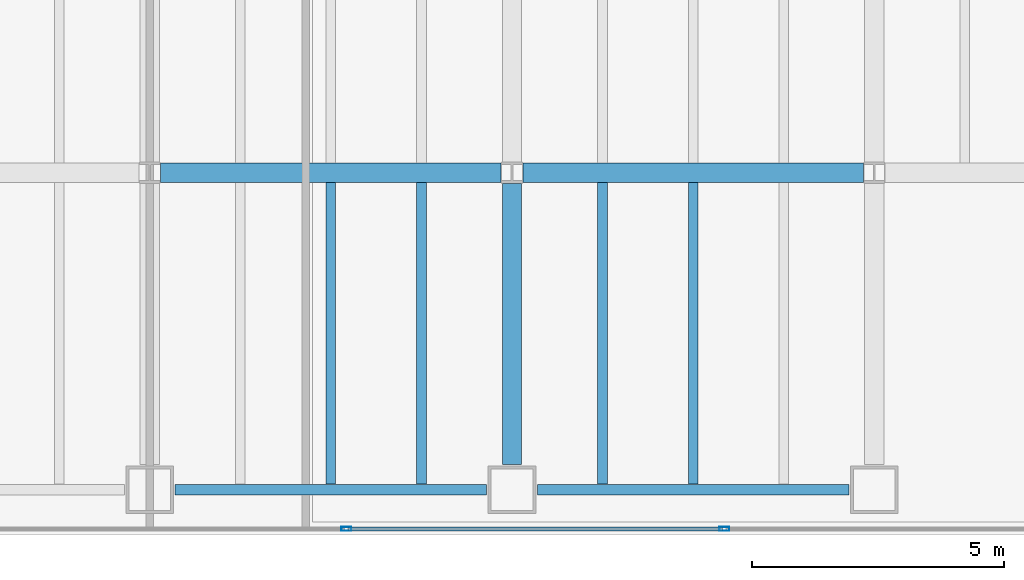
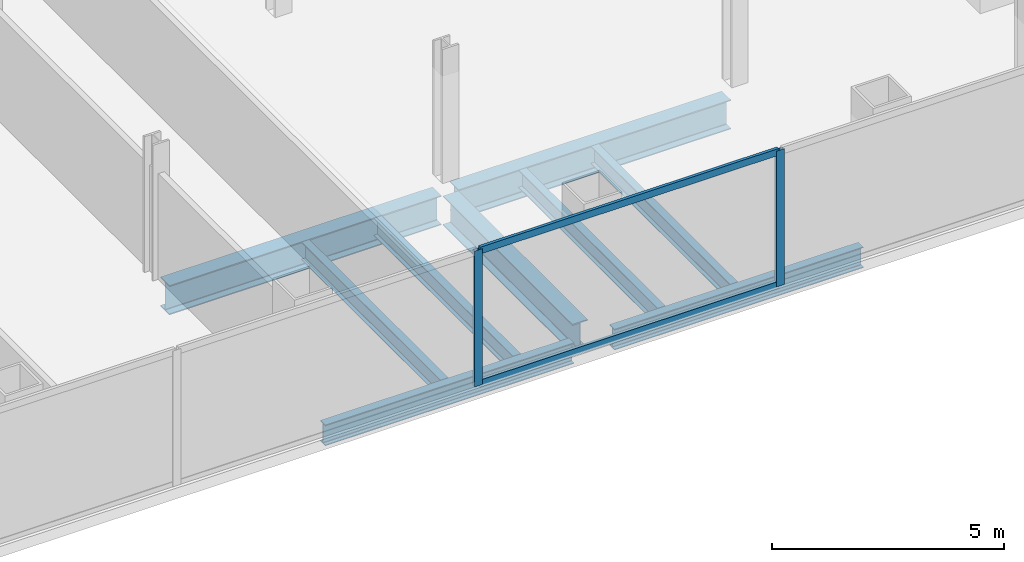
# One storey, part 7 of 24: 9 beams, 4 members, 1 element without a shape of its own.
"""IFC4 building model written with IfcOpenShell, lengths in metres."""

from ifc_helpers import new_model, si_unit, direction, frame, origin, origin_2d, place, context, subcontext, project, spatial, hollow_rectangle, i_section, extrude, material, material_profile, profile_set, type_object, element, aggregate, save


model = new_model("IFC4")

# Units and contexts
model_context = context("Model", 3, precision=1e-05, world=origin(), true_north=direction((0.0, 1.0)))
body_context = subcontext(model_context, "Body", "Model", "MODEL_VIEW")
ifc_project = project(units=[si_unit("LENGTHUNIT", "METRE"), si_unit("AREAUNIT", "SQUARE_METRE"), si_unit("VOLUMEUNIT", "CUBIC_METRE"), si_unit("PLANEANGLEUNIT", "RADIAN"), si_unit("MASSUNIT", "GRAM", prefix="KILO")], contexts=[model_context])

# Site, building, storey
site_placement = place(None, origin())
site = spatial("IfcSite", under=ifc_project, at=site_placement, CompositionType="ELEMENT")
building_placement = place(site_placement, origin())
building = spatial("IfcBuilding", under=site, at=building_placement, Name="Cobrela Telecom Tower", CompositionType="ELEMENT")
storey_placement = place(building_placement, frame((0.0, 0.0, 77.35009765625)))
storey = spatial("IfcBuildingStorey", under=building, at=storey_placement, Name="L19", CompositionType="ELEMENT", Elevation=77.35009765625)

# Beams
ifc_material_1 = material(Name="Steel ASTM A992 Grade 50", Category="steel")
ifc_material_profile_1 = material_profile(ifc_material_1, i_section(OverallWidth=0.381103515625, OverallDepth=0.77197265625, WebThickness=0.0166015625, FlangeThickness=0.027099609375, FilletRadius=0.01904296875, at=origin_2d()), Name="W30X173")
ifc_profile_set_1 = profile_set([ifc_material_profile_1], Name="Steel ASTM A992 Grade 50")
beam_type_1 = type_object("IfcBeamType", Name="BM-GIRD-04", PredefinedType="USERDEFINED", material=ifc_profile_set_1)
for number, where, z_axis, x_axis, name in (
    (1, (29.01611328125, 7.199951171875, -0.666015625), (1.0, 0.0, 0.0), (0.0, 1.0, 0.0), "L19 Primary Girder X10"),
    (2, (36.216064453125, 7.199951171875, -0.666015625), (1.0, 0.0, 0.0), (0.0, 1.0, 0.0), "L19 Primary Girder X11"),
):
    element("IfcBeam", number, at=place(storey_placement, frame(where, z_axis=z_axis, x_axis=x_axis)), inside=storey, type_object=beam_type_1, Name=name, ObjectType="GIRDER", PredefinedType="USERDEFINED", context=body_context, shape_type="SweptSolid", body=[
        extrude(i_section(OverallWidth=0.381103515625, OverallDepth=0.77197265625, WebThickness=0.0166015625, FlangeThickness=0.027099609375, FilletRadius=0.01904296875, at=origin_2d()), origin(), (0.0, 0.0, 1.0), 6.767822265625),
    ])
beam_placement = place(storey_placement, frame((36.0, 1.405029296875, -0.666015625), z_axis=(0.0, 1.0, 0.0), x_axis=(-1.0, 0.0, 0.0)))
element("IfcBeam", 3, at=beam_placement, inside=storey, type_object=beam_type_1, Name="L19 Primary Girder Y50", ObjectType="GIRDER", PredefinedType="USERDEFINED", context=body_context, shape_type="SweptSolid", body=[
    extrude(i_section(OverallWidth=0.381103515625, OverallDepth=0.77197265625, WebThickness=0.0166015625, FlangeThickness=0.027099609375, FilletRadius=0.01904296875, at=origin_2d()), origin(), (0.0, 0.0, 1.0), 5.578857421875),
])
ifc_material_profile_2 = material_profile(ifc_material_1, i_section(OverallWidth=0.193115234375, OverallDepth=0.467041015625, WebThickness=0.011474609375, FlangeThickness=0.01904296875, FilletRadius=0.012939453125, at=origin_2d()), Name="W18X65")
ifc_profile_set_2 = profile_set([ifc_material_profile_2], Name="Steel ASTM A992 Grade 50")
beam_type_2 = type_object("IfcBeamType", Name="BM-JOIST-03", PredefinedType="JOIST", material=ifc_profile_set_2)
for number, where, z_axis, x_axis, name in (
    (4, (32.39990234375, 1.011474609375, -0.513671875), (0.0, 1.0, 0.0), (-1.0, 0.0, 0.0), "L19 Secondary Composite Floor Beam J44"),
    (5, (34.199951171875, 1.011474609375, -0.513671875), (0.0, 1.0, 0.0), (-1.0, 0.0, 0.0), "L19 Secondary Composite Floor Beam J47"),
    (6, (37.800048828125, 1.011474609375, -0.513671875), (0.0, 1.0, 0.0), (-1.0, 0.0, 0.0), "L19 Secondary Composite Floor Beam J50"),
    (7, (39.60009765625, 1.011474609375, -0.513671875), (0.0, 1.0, 0.0), (-1.0, 0.0, 0.0), "L19 Secondary Composite Floor Beam J53"),
):
    element("IfcBeam", number, at=place(storey_placement, frame(where, z_axis=z_axis, x_axis=x_axis)), inside=storey, type_object=beam_type_2, Name=name, PredefinedType="JOIST", context=body_context, shape_type="SweptSolid", body=[
        extrude(i_section(OverallWidth=0.193115234375, OverallDepth=0.467041015625, WebThickness=0.011474609375, FlangeThickness=0.01904296875, FilletRadius=0.012939453125, at=origin_2d()), origin(), (0.0, 0.0, 1.0), 5.992919921875),
    ])
ifc_material_profile_3 = material_profile(ifc_material_1, i_section(OverallWidth=0.212890625, OverallDepth=0.549072265625, WebThickness=0.0146484375, FlangeThickness=0.023681640625, FilletRadius=0.013916015625, at=origin_2d()), Name="W21X93")
ifc_profile_set_3 = profile_set([ifc_material_profile_3], Name="Steel ASTM A992 Grade 50")
beam_type_3 = type_object("IfcBeamType", Name="BM-SPAND-03", PredefinedType="SPANDREL", material=ifc_profile_set_3)
for number, where, z_axis, x_axis, name in (
    (8, (29.304931640625, 0.89990234375, -0.5546875), (1.0, 0.0, 0.0), (0.0, 1.0, 0.0), "L19 Perimeter Spandrel X04"),
    (9, (36.5048828125, 0.89990234375, -0.5546875), (1.0, 0.0, 0.0), (0.0, 1.0, 0.0), "L19 Perimeter Spandrel X05"),
):
    element("IfcBeam", number, at=place(storey_placement, frame(where, z_axis=z_axis, x_axis=x_axis)), inside=storey, type_object=beam_type_3, Name=name, PredefinedType="SPANDREL", context=body_context, shape_type="SweptSolid", body=[
        extrude(i_section(OverallWidth=0.212890625, OverallDepth=0.549072265625, WebThickness=0.0146484375, FlangeThickness=0.023681640625, FilletRadius=0.013916015625, at=origin_2d()), origin(), (0.0, 0.0, 1.0), 6.190185546875),
    ])

# Curtain wall, members
ifc_material_2 = material(Name="Anodized Bronze Aluminium 6063-T6", Category="aluminium")
curtain_wall_type = type_object("IfcCurtainWallType", Name="CW-SYS-DATA", PredefinedType="USERDEFINED", material=ifc_material_2)
curtain_wall_placement = place(storey_placement, origin())
curtain_wall = element("IfcCurtainWall", 10, at=curtain_wall_placement, inside=storey, type_object=curtain_wall_type, Name="L19 Unitised Bronze Curtain Wall 17", ObjectType="UNITISED CURTAIN WALL", PredefinedType="USERDEFINED")
ifc_material_profile_4 = material_profile(ifc_material_2, hollow_rectangle(XDim=0.080078125, YDim=0.199951171875, WallThickness=0.00390625, at=origin_2d()), Name="ALU 80x200x4")
ifc_profile_set_4 = profile_set([ifc_material_profile_4], Name="Anodized Bronze Aluminium 6063-T6")
member_type_1 = type_object("IfcMemberType", Name="CW-SYS-DATA-MUL", PredefinedType="MULLION", material=ifc_profile_set_4)
member_1_placement = place(storey_placement, frame((40.219970703125, 0.1201171875, 0.0), z_axis=(0.0, 0.0, 1.0), x_axis=(0.0, -1.0, 0.0)))
member_1 = element("IfcMember", 11, at=member_1_placement, type_object=member_type_1, Name="CW-DATA mullion 2", PredefinedType="MULLION", context=body_context, shape_type="SweptSolid", body=[
    extrude(hollow_rectangle(XDim=0.080078125, YDim=0.199951171875, WallThickness=0.00390625, at=origin_2d()), origin(), (0.0, 0.0, 1.0), 3.56982421875),
])
member_2_placement = place(storey_placement, frame((32.7099609375, 0.1201171875, 0.0), z_axis=(0.0, 0.0, 1.0), x_axis=(0.0, -1.0, 0.0)))
member_2 = element("IfcMember", 12, at=member_2_placement, type_object=member_type_1, Name="CW-DATA mullion 3", PredefinedType="MULLION", context=body_context, shape_type="SweptSolid", body=[
    extrude(hollow_rectangle(XDim=0.080078125, YDim=0.199951171875, WallThickness=0.00390625, at=origin_2d()), origin(), (0.0, 0.0, 1.0), 3.56982421875),
])
ifc_material_profile_5 = material_profile(ifc_material_2, hollow_rectangle(XDim=0.074951171875, YDim=0.179931640625, WallThickness=0.00390625, at=origin_2d()), Name="ALU 75x180x4")
ifc_profile_set_5 = profile_set([ifc_material_profile_5], Name="Anodized Bronze Aluminium 6063-T6")
member_type_2 = type_object("IfcMemberType", Name="CW-SYS-DATA-TRN", PredefinedType="USERDEFINED", material=ifc_profile_set_5)
member_3_placement = place(storey_placement, frame((40.179931640625, 0.1201171875, 0.037353515625), z_axis=(-1.0, 0.0, 0.0), x_axis=(0.0, -1.0, 0.0)))
member_3 = element("IfcMember", 13, at=member_3_placement, type_object=member_type_2, Name="CW-DATA transom 2.1", ObjectType="TRANSOM", PredefinedType="USERDEFINED", context=body_context, shape_type="SweptSolid", body=[
    extrude(hollow_rectangle(XDim=0.074951171875, YDim=0.179931640625, WallThickness=0.00390625, at=origin_2d()), origin(), (0.0, 0.0, 1.0), 7.429931640625),
])
member_4_placement = place(storey_placement, frame((40.179931640625, 0.1201171875, 3.532470703125), z_axis=(-1.0, 0.0, 0.0), x_axis=(0.0, -1.0, 0.0)))
member_4 = element("IfcMember", 14, at=member_4_placement, type_object=member_type_2, Name="CW-DATA transom 2.2", ObjectType="TRANSOM", PredefinedType="USERDEFINED", context=body_context, shape_type="SweptSolid", body=[
    extrude(hollow_rectangle(XDim=0.074951171875, YDim=0.179931640625, WallThickness=0.00390625, at=origin_2d()), origin(), (0.0, 0.0, 1.0), 7.429931640625),
])
aggregate(curtain_wall, [member_1, member_2, member_3, member_4])

save(model, "model.ifc")
